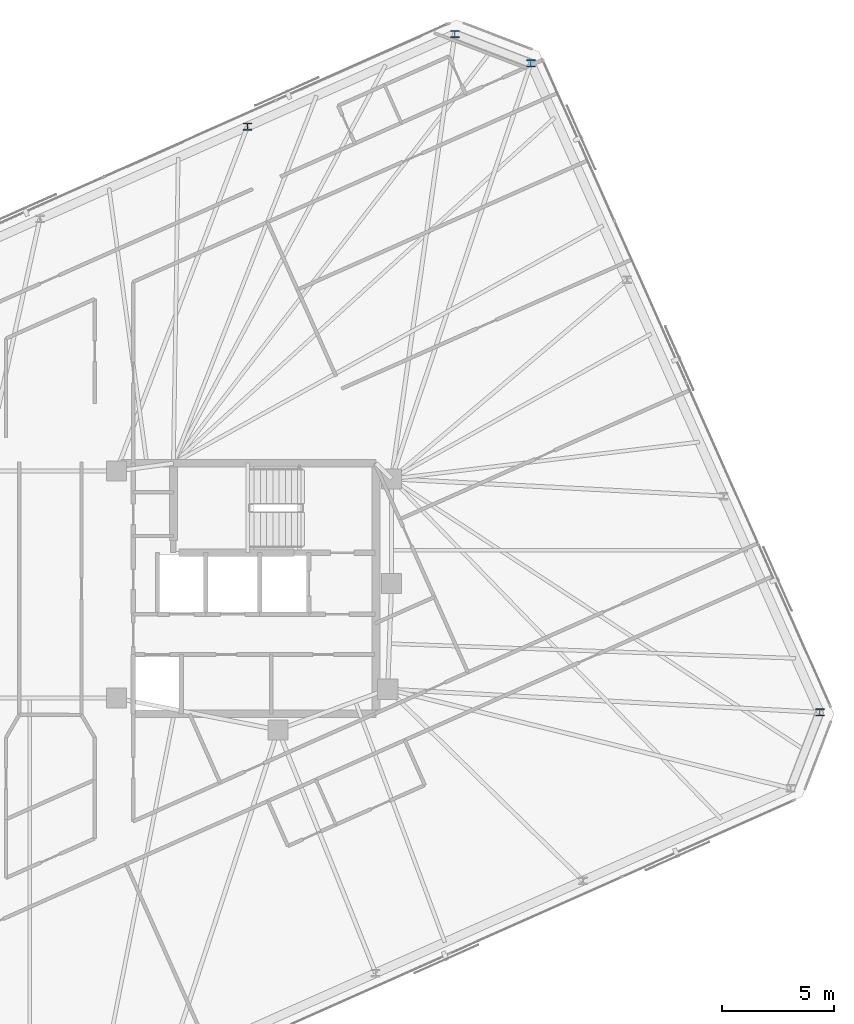
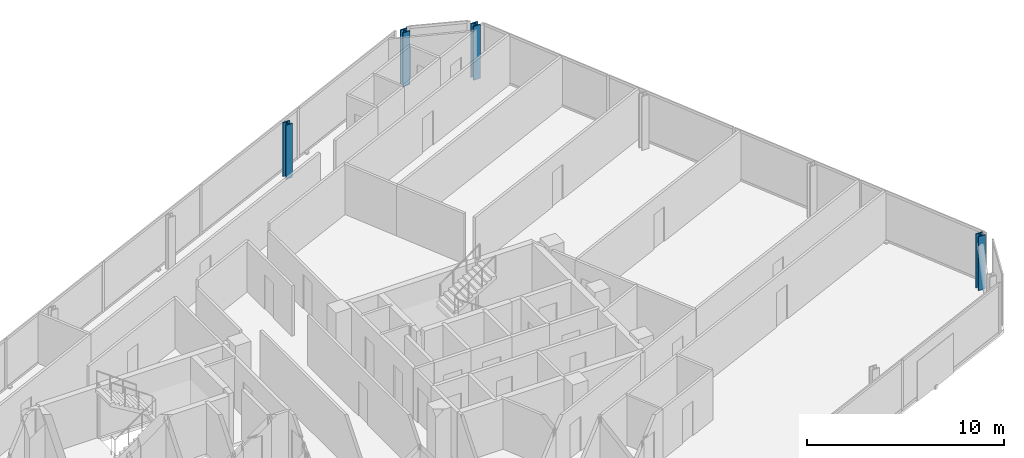
# One storey, part 4 of 18: 4 columns.
"""IFC4 building model written with IfcOpenShell, lengths in metres."""

from ifc_helpers import new_model, si_unit, direction, frame, origin, origin_2d, place, context, subcontext, project, spatial, i_section, extrude, material, material_profile, profile_set, type_object, element, save


model = new_model("IFC4")

# Units and contexts
model_context = context("Model", 3, precision=1e-05, world=origin(), true_north=direction((0.0, 1.0)))
body_context = subcontext(model_context, "Body", "Model", "MODEL_VIEW")
ifc_project = project(units=[si_unit("LENGTHUNIT", "METRE"), si_unit("AREAUNIT", "SQUARE_METRE"), si_unit("VOLUMEUNIT", "CUBIC_METRE"), si_unit("PLANEANGLEUNIT", "RADIAN"), si_unit("MASSUNIT", "GRAM", prefix="KILO")], contexts=[model_context])

# Site, building, storey
site_placement = place(None, origin())
site = spatial("IfcSite", under=ifc_project, at=site_placement, CompositionType="ELEMENT")
building_placement = place(site_placement, origin())
building = spatial("IfcBuilding", under=site, at=building_placement, Name="Menara Jurai Vektor", CompositionType="ELEMENT")
storey_placement = place(building_placement, frame((0.0, 0.0, 258.85009765625)))
storey = spatial("IfcBuildingStorey", under=building, at=storey_placement, Name="L69", CompositionType="ELEMENT", Elevation=258.85009765625)

# Columns
ifc_material = material(Name="Steel S460", Category="steel")
ifc_material_profile = material_profile(ifc_material, i_section(OverallWidth=0.40087890625, OverallDepth=0.3349609375, WebThickness=0.035888671875, FlangeThickness=0.05810546875, FilletRadius=0.014892578125, at=origin_2d()), Name="HD 400x463")
ifc_profile_set = profile_set([ifc_material_profile], Name="Steel S460")
column_type = type_object("IfcColumnType", Name="STR-EXO-BLK5", PredefinedType="COLUMN", material=ifc_profile_set)
for number, where, z_axis, x_axis, name in (
    (1, (34.3916015625, -5.536865234375, 0.0), (0.0, 0.0, 1.0), (1.0, 0.0, 0.0), "Exoskeleton Column BLK5-E1 L69"),
    (2, (21.4755859375, 23.473388671875, 0.0), (0.0, 0.0, 1.0), (1.0, 0.0, 0.0), "Exoskeleton Column BLK5-E4 L69"),
    (3, (18.07958984375, 24.777099609375, 0.0), (0.0, 0.0, 1.0), (1.0, 0.0, 0.0), "Exoskeleton Column BLK5-N1 L69"),
    (4, (8.805908203125, 20.648193359375, 0.0), (0.0, 0.0, 1.0), (1.0, 0.0, 0.0), "Exoskeleton Column BLK5-N2 L69"),
):
    element("IfcColumn", number, at=place(storey_placement, frame(where, z_axis=z_axis, x_axis=x_axis)), inside=storey, type_object=column_type, Name=name, PredefinedType="COLUMN", context=body_context, shape_type="SweptSolid", body=[
        extrude(i_section(OverallWidth=0.40087890625, OverallDepth=0.3349609375, WebThickness=0.035888671875, FlangeThickness=0.05810546875, FilletRadius=0.014892578125, at=origin_2d()), origin(), (0.0, 0.0, 1.0), 3.349853515625),
    ])

save(model, "model.ifc")
